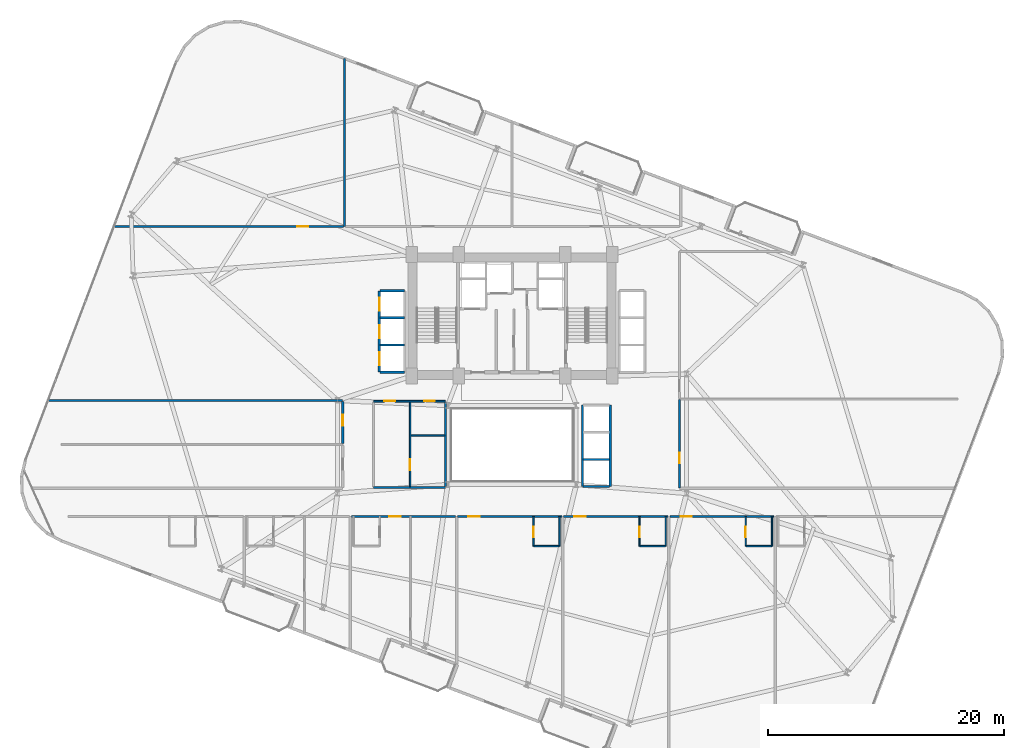
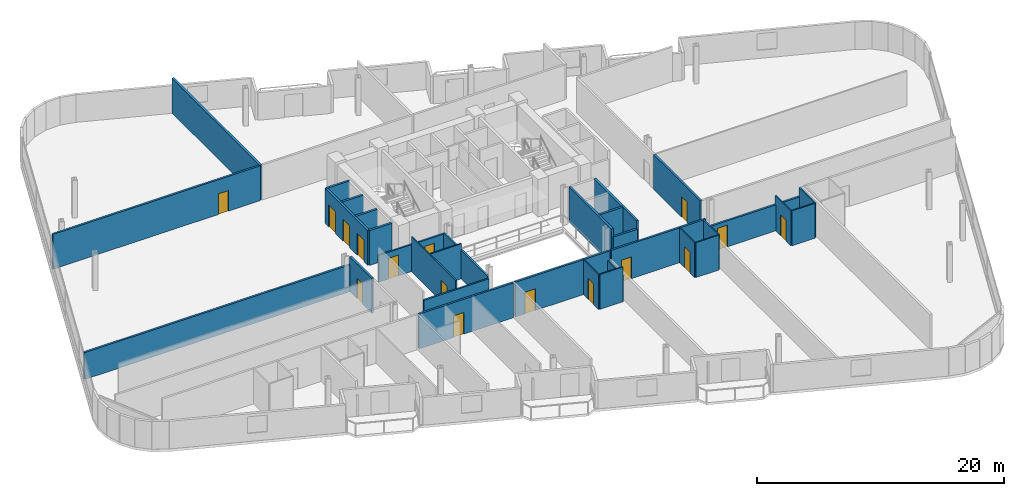
# One storey, part 19 of 25: 32 walls, 16 doors, 16 openings.
"""IFC4 building model written with IfcOpenShell, lengths in metres."""

from ifc_helpers import new_model, si_unit, direction, frame, frame_2d, origin, place, context, subcontext, project, spatial, rectangle, extrude, material, layer, layer_set, type_object, element, fill, save


model = new_model("IFC4")

# Units and contexts
model_context = context("Model", 3, precision=1e-05, world=origin(), true_north=direction((0.0, 1.0)))
body_context = subcontext(model_context, "Body", "Model", "MODEL_VIEW")
ifc_project = project(units=[si_unit("LENGTHUNIT", "METRE"), si_unit("AREAUNIT", "SQUARE_METRE"), si_unit("VOLUMEUNIT", "CUBIC_METRE"), si_unit("PLANEANGLEUNIT", "RADIAN"), si_unit("MASSUNIT", "GRAM", prefix="KILO")], contexts=[model_context])

# Site, building, storey
site_placement = place(None, origin())
site = spatial("IfcSite", under=ifc_project, at=site_placement, CompositionType="ELEMENT")
building_placement = place(site_placement, origin())
building = spatial("IfcBuilding", under=site, at=building_placement, Name="Varnelok Gate Tower", CompositionType="ELEMENT")
storey_placement = place(building_placement, frame((0.0, 0.0, 76.199951171875)))
storey = spatial("IfcBuildingStorey", under=building, at=storey_placement, Name="L18", CompositionType="ELEMENT", Elevation=76.199951171875)

# Wall, opening, door
ifc_material_1 = material(Name="Gypsum Plasterboard Acoustic Partition", Category="gypsum")
ifc_layer_1 = layer(ifc_material_1, 0.179931640625)
ifc_layer_set_1 = layer_set([ifc_layer_1], Name="Gypsum Plasterboard Acoustic Partition")
wall_type_1 = type_object("IfcWallType", Name="PW-CORR-180", PredefinedType="PARTITIONING", material=ifc_layer_set_1)
wall_1_placement = place(storey_placement, frame((25.580078125, 16.85009765625, 0.0), z_axis=(0.0, 0.0, 1.0), x_axis=(1.0, 0.0, 0.0)))
wall_1 = element("IfcWall", 1, at=wall_1_placement, inside=storey, type_object=wall_type_1, Name="Interior Partition", PredefinedType="PARTITIONING", context=body_context, shape_type="SweptSolid", body=[
    extrude(rectangle(XDim=8.83984375, YDim=0.179931640625, at=frame_2d((4.419921875, 0.0))), origin(), (0.0, 0.0, 1.0), 3.449951171875),
])
opening_1_placement = place(wall_1_placement, frame((3.22998046875, 0.0, 0.0)))
opening_1 = element("IfcOpeningElement", 2, at=opening_1_placement, cuts=wall_1, Name="Opening D-HT", PredefinedType="OPENING", context=body_context, shape_type="SweptSolid", body=[
    extrude(rectangle(XDim=0.949951171875, YDim=2.14990234375, at=frame_2d((0.47509765625, 1.074951171875))), frame((0.0, 0.099853515625, 0.0), z_axis=(0.0, -1.0, 0.0), x_axis=(1.0, 0.0, 0.0)), (0.0, 0.0, 1.0), 0.199951171875),
])
ifc_material_2 = material(Name="Engineered Hardwood Timber", Category="wood")
door_type_1 = type_object("IfcDoorType", Name="DR-HTL-950", OperationType="NOTDEFINED", PredefinedType="DOOR", material=ifc_material_2)
door_1_placement = place(opening_1_placement, origin())
door_1 = element("IfcDoor", 3, at=door_1_placement, inside=storey, type_object=door_type_1, Name="L18 Guest Room 03 Entrance Door", OperationType="SINGLE_SWING_RIGHT", OverallHeight=2.14990234375, OverallWidth=0.949951171875, PredefinedType="DOOR", context=body_context, shape_type="SweptSolid", body=[
    extrude(rectangle(XDim=0.949951171875, YDim=2.14990234375, at=frame_2d((0.47509765625, 1.074951171875))), frame((0.0, 0.02490234375, 0.0), z_axis=(0.0, -1.0, 0.0), x_axis=(1.0, 0.0, 0.0)), (0.0, 0.0, 1.0), 0.050048828125),
])
fill(opening_1, door_1)

wall_2_placement = place(storey_placement, frame((34.580078125, 16.85009765625, 0.0), z_axis=(0.0, 0.0, 1.0), x_axis=(1.0, 0.0, 0.0)))
wall_2 = element("IfcWall", 4, at=wall_2_placement, inside=storey, type_object=wall_type_1, Name="Interior Partition", PredefinedType="PARTITIONING", context=body_context, shape_type="SweptSolid", body=[
    extrude(rectangle(XDim=8.83984375, YDim=0.179931640625, at=frame_2d((4.419921875, 0.0))), origin(), (0.0, 0.0, 1.0), 3.449951171875),
])
opening_2_placement = place(wall_2_placement, frame((0.91796875, 0.0, 0.0)))
opening_2 = element("IfcOpeningElement", 5, at=opening_2_placement, cuts=wall_2, Name="Opening D-HT", PredefinedType="OPENING", context=body_context, shape_type="SweptSolid", body=[
    extrude(rectangle(XDim=0.949951171875, YDim=2.14990234375, at=frame_2d((0.47509765625, 1.074951171875))), frame((0.0, 0.099853515625, 0.0), z_axis=(0.0, -1.0, 0.0), x_axis=(1.0, 0.0, 0.0)), (0.0, 0.0, 1.0), 0.199951171875),
])
door_2_placement = place(opening_2_placement, origin())
door_2 = element("IfcDoor", 6, at=door_2_placement, inside=storey, type_object=door_type_1, Name="L18 Guest Room 04 Entrance Door", OperationType="SINGLE_SWING_LEFT", OverallHeight=2.14990234375, OverallWidth=0.949951171875, PredefinedType="DOOR", context=body_context, shape_type="SweptSolid", body=[
    extrude(rectangle(XDim=0.949951171875, YDim=2.14990234375, at=frame_2d((0.47509765625, 1.074951171875))), frame((0.0, 0.02490234375, 0.0), z_axis=(0.0, -1.0, 0.0), x_axis=(1.0, 0.0, 0.0)), (0.0, 0.0, 1.0), 0.050048828125),
])
fill(opening_2, door_2)

wall_3_placement = place(storey_placement, frame((43.580078125, 16.85009765625, 0.0), z_axis=(0.0, 0.0, 1.0), x_axis=(1.0, 0.0, 0.0)))
wall_3 = element("IfcWall", 7, at=wall_3_placement, inside=storey, type_object=wall_type_1, Name="Interior Partition", PredefinedType="PARTITIONING", context=body_context, shape_type="SweptSolid", body=[
    extrude(rectangle(XDim=8.83984375, YDim=0.179931640625, at=frame_2d((4.419921875, 0.0))), origin(), (0.0, 0.0, 1.0), 3.449951171875),
])
opening_3_placement = place(wall_3_placement, frame((0.91796875, 0.0, 0.0)))
opening_3 = element("IfcOpeningElement", 8, at=opening_3_placement, cuts=wall_3, Name="Opening D-HT", PredefinedType="OPENING", context=body_context, shape_type="SweptSolid", body=[
    extrude(rectangle(XDim=0.949951171875, YDim=2.14990234375, at=frame_2d((0.47509765625, 1.074951171875))), frame((0.0, 0.099853515625, 0.0), z_axis=(0.0, -1.0, 0.0), x_axis=(1.0, 0.0, 0.0)), (0.0, 0.0, 1.0), 0.199951171875),
])
door_3_placement = place(opening_3_placement, origin())
door_3 = element("IfcDoor", 9, at=door_3_placement, inside=storey, type_object=door_type_1, Name="L18 Guest Room 05 Entrance Door", OperationType="SINGLE_SWING_RIGHT", OverallHeight=2.14990234375, OverallWidth=0.949951171875, PredefinedType="DOOR", context=body_context, shape_type="SweptSolid", body=[
    extrude(rectangle(XDim=0.949951171875, YDim=2.14990234375, at=frame_2d((0.47509765625, 1.074951171875))), frame((0.0, 0.02490234375, 0.0), z_axis=(0.0, -1.0, 0.0), x_axis=(1.0, 0.0, 0.0)), (0.0, 0.0, 1.0), 0.050048828125),
])
fill(opening_3, door_3)

wall_4_placement = place(storey_placement, frame((52.580078125, 16.85009765625, 0.0), z_axis=(0.0, 0.0, 1.0), x_axis=(1.0, 0.0, 0.0)))
wall_4 = element("IfcWall", 10, at=wall_4_placement, inside=storey, type_object=wall_type_1, Name="Interior Partition", PredefinedType="PARTITIONING", context=body_context, shape_type="SweptSolid", body=[
    extrude(rectangle(XDim=8.83984375, YDim=0.179931640625, at=frame_2d((4.419921875, 0.0))), origin(), (0.0, 0.0, 1.0), 2.580078125),
])
opening_4_placement = place(wall_4_placement, frame((0.91796875, 0.0, 0.0)))
opening_4 = element("IfcOpeningElement", 11, at=opening_4_placement, cuts=wall_4, Name="Opening D-HT", PredefinedType="OPENING", context=body_context, shape_type="SweptSolid", body=[
    extrude(rectangle(XDim=0.949951171875, YDim=2.14990234375, at=frame_2d((0.47509765625, 1.074951171875))), frame((0.0, 0.099853515625, 0.0), z_axis=(0.0, -1.0, 0.0), x_axis=(1.0, 0.0, 0.0)), (0.0, 0.0, 1.0), 0.199951171875),
])
door_4_placement = place(opening_4_placement, origin())
door_4 = element("IfcDoor", 12, at=door_4_placement, inside=storey, type_object=door_type_1, Name="L18 Guest Room 06 Entrance Door", OperationType="SINGLE_SWING_LEFT", OverallHeight=2.14990234375, OverallWidth=0.949951171875, PredefinedType="DOOR", context=body_context, shape_type="SweptSolid", body=[
    extrude(rectangle(XDim=0.949951171875, YDim=2.14990234375, at=frame_2d((0.47509765625, 1.074951171875))), frame((0.0, 0.02490234375, 0.0), z_axis=(0.0, -1.0, 0.0), x_axis=(1.0, 0.0, 0.0)), (0.0, 0.0, 1.0), 0.050048828125),
])
fill(opening_4, door_4)

wall_5_placement = place(storey_placement, frame((5.505859375, 41.429931640625, 0.0), z_axis=(0.0, 0.0, 1.0), x_axis=(1.0, 0.0, 0.0)))
wall_5 = element("IfcWall", 13, at=wall_5_placement, inside=storey, type_object=wall_type_1, Name="Interior Partition", PredefinedType="PARTITIONING", context=body_context, shape_type="SweptSolid", body=[
    extrude(rectangle(XDim=19.4140625, YDim=0.179931640625, at=frame_2d((9.70703125, 0.0))), origin(), (0.0, 0.0, 1.0), 3.449951171875),
])
opening_5_placement = place(wall_5_placement, frame((15.46923828125, 0.0, 0.0)))
opening_5 = element("IfcOpeningElement", 14, at=opening_5_placement, cuts=wall_5, Name="Opening D-I2", PredefinedType="OPENING", context=body_context, shape_type="SweptSolid", body=[
    extrude(rectangle(XDim=0.949951171875, YDim=2.050048828125, at=frame_2d((0.47509765625, 1.02490234375))), frame((0.0, 0.099853515625, 0.0), z_axis=(0.0, -1.0, 0.0), x_axis=(1.0, 0.0, 0.0)), (0.0, 0.0, 1.0), 0.199951171875),
])
door_type_2 = type_object("IfcDoorType", Name="DR-INT-950", OperationType="NOTDEFINED", PredefinedType="DOOR", material=ifc_material_2)
door_5_placement = place(opening_5_placement, origin())
door_5 = element("IfcDoor", 15, at=door_5_placement, inside=storey, type_object=door_type_2, Name="L18 Spa Treatment Suite Door", OperationType="SINGLE_SWING_LEFT", OverallHeight=2.050048828125, OverallWidth=0.949951171875, PredefinedType="DOOR", context=body_context, shape_type="SweptSolid", body=[
    extrude(rectangle(XDim=0.949951171875, YDim=2.050048828125, at=frame_2d((0.47509765625, 1.02490234375))), frame((0.0, 0.02490234375, 0.0), z_axis=(0.0, -1.0, 0.0), x_axis=(1.0, 0.0, 0.0)), (0.0, 0.0, 1.0), 0.050048828125),
])
fill(opening_5, door_5)

wall_6_placement = place(storey_placement, frame((24.85009765625, 23.030029296875, 0.0), z_axis=(0.0, 0.0, 1.0), x_axis=(0.0, 1.0, 0.0)))
wall_6 = element("IfcWall", 16, at=wall_6_placement, inside=storey, type_object=wall_type_1, Name="Interior Partition", PredefinedType="PARTITIONING", context=body_context, shape_type="SweptSolid", body=[
    extrude(rectangle(XDim=3.570068359375, YDim=0.179931640625, at=frame_2d((1.78515625, 0.0))), origin(), (0.0, 0.0, 1.0), 3.449951171875),
])
opening_6_placement = place(wall_6_placement, frame((1.49951171875, 0.0, 0.0)))
opening_6 = element("IfcOpeningElement", 17, at=opening_6_placement, cuts=wall_6, Name="Opening D-I3", PredefinedType="OPENING", context=body_context, shape_type="SweptSolid", body=[
    extrude(rectangle(XDim=0.919921875, YDim=2.050048828125, at=frame_2d((0.4599609375, 1.02490234375))), frame((0.0, 0.099853515625, 0.0), z_axis=(0.0, -1.0, 0.0), x_axis=(1.0, 0.0, 0.0)), (0.0, 0.0, 1.0), 0.199951171875),
])
door_type_3 = type_object("IfcDoorType", Name="DR-INT-920", OperationType="NOTDEFINED", PredefinedType="DOOR", material=ifc_material_2)
door_6_placement = place(opening_6_placement, origin())
door_6 = element("IfcDoor", 18, at=door_6_placement, inside=storey, type_object=door_type_3, Name="L18 West Wing Room 2 Door", OperationType="SINGLE_SWING_RIGHT", OverallHeight=2.050048828125, OverallWidth=0.919921875, PredefinedType="DOOR", context=body_context, shape_type="SweptSolid", body=[
    extrude(rectangle(XDim=0.919921875, YDim=2.050048828125, at=frame_2d((0.4599609375, 1.02490234375))), frame((0.0, 0.02490234375, 0.0), z_axis=(0.0, -1.0, 0.0), x_axis=(1.0, 0.0, 0.0)), (0.0, 0.0, 1.0), 0.050048828125),
])
fill(opening_6, door_6)

# Wall
wall_7_placement = place(storey_placement, frame((-0.0859375, 26.659912109375, 0.0), z_axis=(0.0, 0.0, 1.0), x_axis=(1.0, 0.0, 0.0)))
element("IfcWall", 19, at=wall_7_placement, inside=storey, type_object=wall_type_1, Name="Interior Partition", PredefinedType="PARTITIONING", context=body_context, shape_type="SweptSolid", body=[
    extrude(rectangle(XDim=24.93603515625, YDim=0.179931640625, at=frame_2d((12.468017578125, 0.0))), origin(), (0.0, 0.0, 1.0), 2.662109375),
])

# Wall, opening, door
wall_8_placement = place(storey_placement, frame((53.389892578125, 19.239990234375, 0.0), z_axis=(0.0, 0.0, 1.0), x_axis=(0.0, 1.0, 0.0)))
wall_8 = element("IfcWall", 20, at=wall_8_placement, inside=storey, type_object=wall_type_1, Name="Interior Partition", PredefinedType="PARTITIONING", context=body_context, shape_type="SweptSolid", body=[
    extrude(rectangle(XDim=7.52001953125, YDim=0.179931640625, at=frame_2d((3.760009765625, 0.0))), origin(), (0.0, 0.0, 1.0), 3.449951171875),
])
opening_7_placement = place(wall_8_placement, frame((2.10009765625, 0.0, 0.0)))
opening_7 = element("IfcOpeningElement", 21, at=opening_7_placement, cuts=wall_8, Name="Opening D-I3", PredefinedType="OPENING", context=body_context, shape_type="SweptSolid", body=[
    extrude(rectangle(XDim=0.919921875, YDim=2.050048828125, at=frame_2d((0.4599609375, 1.02490234375))), frame((0.0, 0.099853515625, 0.0), z_axis=(0.0, -1.0, 0.0), x_axis=(1.0, 0.0, 0.0)), (0.0, 0.0, 1.0), 0.199951171875),
])
door_7_placement = place(opening_7_placement, origin())
door_7 = element("IfcDoor", 22, at=door_7_placement, inside=storey, type_object=door_type_3, Name="L18 East Studio Door", OperationType="SINGLE_SWING_RIGHT", OverallHeight=2.050048828125, OverallWidth=0.919921875, PredefinedType="DOOR", context=body_context, shape_type="SweptSolid", body=[
    extrude(rectangle(XDim=0.919921875, YDim=2.050048828125, at=frame_2d((0.4599609375, 1.02490234375))), frame((0.0, 0.02490234375, 0.0), z_axis=(0.0, -1.0, 0.0), x_axis=(1.0, 0.0, 0.0)), (0.0, 0.0, 1.0), 0.050048828125),
])
fill(opening_7, door_7)

# Wall
ifc_layer_2 = layer(ifc_material_1, 0.114990234375)
ifc_layer_set_2 = layer_set([ifc_layer_2], Name="Gypsum Plasterboard Acoustic Partition")
wall_type_2 = type_object("IfcWallType", Name="PW-ENS-125", PredefinedType="PARTITIONING", material=ifc_layer_set_2)
wall_9_placement = place(storey_placement, frame((41.050048828125, 14.330078125, 0.0), z_axis=(0.0, 0.0, 1.0), x_axis=(1.0, 0.0, 0.0)))
element("IfcWall", 23, at=wall_9_placement, inside=storey, type_object=wall_type_2, Name="Interior Partition", PredefinedType="PARTITIONING", context=body_context, shape_type="SweptSolid", body=[
    extrude(rectangle(XDim=2.14990234375, YDim=0.114990234375, at=frame_2d((1.074951171875, 0.0))), origin(), (0.0, 0.0, 1.0), 3.449951171875),
])

# Wall, opening, door
wall_10_placement = place(storey_placement, frame((41.010009765625, 14.330078125, 0.0), z_axis=(0.0, 0.0, 1.0), x_axis=(0.0, 1.0, 0.0)))
wall_10 = element("IfcWall", 24, at=wall_10_placement, inside=storey, type_object=wall_type_2, Name="Interior Partition", PredefinedType="PARTITIONING", context=body_context, shape_type="SweptSolid", body=[
    extrude(rectangle(XDim=2.52001953125, YDim=0.114990234375, at=frame_2d((1.260009765625, 0.0))), origin(), (0.0, 0.0, 1.0), 3.449951171875),
])
opening_8_placement = place(wall_10_placement, frame((0.760009765625, 0.0, 0.0)))
opening_8 = element("IfcOpeningElement", 25, at=opening_8_placement, cuts=wall_10, Name="Opening D-WC", PredefinedType="OPENING", context=body_context, shape_type="SweptSolid", body=[
    extrude(rectangle(XDim=0.89990234375, YDim=2.050048828125, at=frame_2d((0.449951171875, 1.02490234375))), frame((0.0, 0.0673828125, 0.0), z_axis=(0.0, -1.0, 0.0), x_axis=(1.0, 0.0, 0.0)), (0.0, 0.0, 1.0), 0.135009765625),
])
door_type_4 = type_object("IfcDoorType", Name="DR-BATH-900", OperationType="NOTDEFINED", PredefinedType="DOOR", material=ifc_material_2)
door_8_placement = place(opening_8_placement, origin())
door_8 = element("IfcDoor", 26, at=door_8_placement, inside=storey, type_object=door_type_4, Name="L18 Guest En-Suite 04 Door", OperationType="SINGLE_SWING_RIGHT", OverallHeight=2.050048828125, OverallWidth=0.89990234375, PredefinedType="DOOR", context=body_context, shape_type="SweptSolid", body=[
    extrude(rectangle(XDim=0.89990234375, YDim=2.050048828125, at=frame_2d((0.449951171875, 1.02490234375))), frame((0.0, 0.02490234375, 0.0), z_axis=(0.0, -1.0, 0.0), x_axis=(1.0, 0.0, 0.0)), (0.0, 0.0, 1.0), 0.050048828125),
])
fill(opening_8, door_8)

# Walls
wall_11_placement = place(storey_placement, frame((43.239990234375, 14.330078125, 0.0), z_axis=(0.0, 0.0, 1.0), x_axis=(0.0, 1.0, 0.0)))
element("IfcWall", 27, at=wall_11_placement, inside=storey, type_object=wall_type_2, Name="Interior Partition", PredefinedType="PARTITIONING", context=body_context, shape_type="SweptSolid", body=[
    extrude(rectangle(XDim=2.52001953125, YDim=0.114990234375, at=frame_2d((1.260009765625, 0.0))), origin(), (0.0, 0.0, 1.0), 2.580078125),
])
wall_12_placement = place(storey_placement, frame((50.050048828125, 14.330078125, 0.0), z_axis=(0.0, 0.0, 1.0), x_axis=(1.0, 0.0, 0.0)))
element("IfcWall", 28, at=wall_12_placement, inside=storey, type_object=wall_type_2, Name="Interior Partition", PredefinedType="PARTITIONING", context=body_context, shape_type="SweptSolid", body=[
    extrude(rectangle(XDim=2.14990234375, YDim=0.114990234375, at=frame_2d((1.074951171875, 0.0))), origin(), (0.0, 0.0, 1.0), 3.449951171875),
])

# Wall, opening, door
wall_13_placement = place(storey_placement, frame((50.010009765625, 14.330078125, 0.0), z_axis=(0.0, 0.0, 1.0), x_axis=(0.0, 1.0, 0.0)))
wall_13 = element("IfcWall", 29, at=wall_13_placement, inside=storey, type_object=wall_type_2, Name="Interior Partition", PredefinedType="PARTITIONING", context=body_context, shape_type="SweptSolid", body=[
    extrude(rectangle(XDim=2.52001953125, YDim=0.114990234375, at=frame_2d((1.260009765625, 0.0))), origin(), (0.0, 0.0, 1.0), 3.449951171875),
])
opening_9_placement = place(wall_13_placement, frame((0.760009765625, 0.0, 0.0)))
opening_9 = element("IfcOpeningElement", 30, at=opening_9_placement, cuts=wall_13, Name="Opening D-WC", PredefinedType="OPENING", context=body_context, shape_type="SweptSolid", body=[
    extrude(rectangle(XDim=0.89990234375, YDim=2.050048828125, at=frame_2d((0.449951171875, 1.02490234375))), frame((0.0, 0.0673828125, 0.0), z_axis=(0.0, -1.0, 0.0), x_axis=(1.0, 0.0, 0.0)), (0.0, 0.0, 1.0), 0.135009765625),
])
door_9_placement = place(opening_9_placement, origin())
door_9 = element("IfcDoor", 31, at=door_9_placement, inside=storey, type_object=door_type_4, Name="L18 Guest En-Suite 05 Door", OperationType="SINGLE_SWING_RIGHT", OverallHeight=2.050048828125, OverallWidth=0.89990234375, PredefinedType="DOOR", context=body_context, shape_type="SweptSolid", body=[
    extrude(rectangle(XDim=0.89990234375, YDim=2.050048828125, at=frame_2d((0.449951171875, 1.02490234375))), frame((0.0, 0.02490234375, 0.0), z_axis=(0.0, -1.0, 0.0), x_axis=(1.0, 0.0, 0.0)), (0.0, 0.0, 1.0), 0.050048828125),
])
fill(opening_9, door_9)

# Walls
wall_14_placement = place(storey_placement, frame((52.239990234375, 14.330078125, 0.0), z_axis=(0.0, 0.0, 1.0), x_axis=(0.0, 1.0, 0.0)))
element("IfcWall", 32, at=wall_14_placement, inside=storey, type_object=wall_type_2, Name="Interior Partition", PredefinedType="PARTITIONING", context=body_context, shape_type="SweptSolid", body=[
    extrude(rectangle(XDim=2.52001953125, YDim=0.114990234375, at=frame_2d((1.260009765625, 0.0))), origin(), (0.0, 0.0, 1.0), 3.449951171875),
])
wall_15_placement = place(storey_placement, frame((59.050048828125, 14.330078125, 0.0), z_axis=(0.0, 0.0, 1.0), x_axis=(1.0, 0.0, 0.0)))
element("IfcWall", 33, at=wall_15_placement, inside=storey, type_object=wall_type_2, Name="Interior Partition", PredefinedType="PARTITIONING", context=body_context, shape_type="SweptSolid", body=[
    extrude(rectangle(XDim=2.14990234375, YDim=0.114990234375, at=frame_2d((1.074951171875, 0.0))), origin(), (0.0, 0.0, 1.0), 3.449951171875),
])

# Wall, opening, door
wall_16_placement = place(storey_placement, frame((59.010009765625, 14.330078125, 0.0), z_axis=(0.0, 0.0, 1.0), x_axis=(0.0, 1.0, 0.0)))
wall_16 = element("IfcWall", 34, at=wall_16_placement, inside=storey, type_object=wall_type_2, Name="Interior Partition", PredefinedType="PARTITIONING", context=body_context, shape_type="SweptSolid", body=[
    extrude(rectangle(XDim=2.52001953125, YDim=0.114990234375, at=frame_2d((1.260009765625, 0.0))), origin(), (0.0, 0.0, 1.0), 3.449951171875),
])
opening_10_placement = place(wall_16_placement, frame((0.760009765625, 0.0, 0.0)))
opening_10 = element("IfcOpeningElement", 35, at=opening_10_placement, cuts=wall_16, Name="Opening D-WC", PredefinedType="OPENING", context=body_context, shape_type="SweptSolid", body=[
    extrude(rectangle(XDim=0.89990234375, YDim=2.050048828125, at=frame_2d((0.449951171875, 1.02490234375))), frame((0.0, 0.0673828125, 0.0), z_axis=(0.0, -1.0, 0.0), x_axis=(1.0, 0.0, 0.0)), (0.0, 0.0, 1.0), 0.135009765625),
])
door_10_placement = place(opening_10_placement, origin())
door_10 = element("IfcDoor", 36, at=door_10_placement, inside=storey, type_object=door_type_4, Name="L18 Guest En-Suite 06 Door", OperationType="SINGLE_SWING_RIGHT", OverallHeight=2.050048828125, OverallWidth=0.89990234375, PredefinedType="DOOR", context=body_context, shape_type="SweptSolid", body=[
    extrude(rectangle(XDim=0.89990234375, YDim=2.050048828125, at=frame_2d((0.449951171875, 1.02490234375))), frame((0.0, 0.02490234375, 0.0), z_axis=(0.0, -1.0, 0.0), x_axis=(1.0, 0.0, 0.0)), (0.0, 0.0, 1.0), 0.050048828125),
])
fill(opening_10, door_10)

# Wall
wall_17_placement = place(storey_placement, frame((61.239990234375, 14.330078125, 0.0), z_axis=(0.0, 0.0, 1.0), x_axis=(0.0, 1.0, 0.0)))
element("IfcWall", 37, at=wall_17_placement, inside=storey, type_object=wall_type_2, Name="Interior Partition", PredefinedType="PARTITIONING", context=body_context, shape_type="SweptSolid", body=[
    extrude(rectangle(XDim=2.52001953125, YDim=0.114990234375, at=frame_2d((1.260009765625, 0.0))), origin(), (0.0, 0.0, 1.0), 3.449951171875),
])

# Wall, opening, door
ifc_layer_3 = layer(ifc_material_1, 0.125)
ifc_layer_set_3 = layer_set([ifc_layer_3], Name="Gypsum Plasterboard Acoustic Partition")
wall_type_3 = type_object("IfcWallType", Name="PW-PART-125", PredefinedType="PARTITIONING", material=ifc_layer_set_3)
wall_18_placement = place(storey_placement, frame((30.56005859375, 19.3798828125, 0.0), z_axis=(0.0, 0.0, 1.0), x_axis=(0.0, 1.0, 0.0)))
wall_18 = element("IfcWall", 38, at=wall_18_placement, inside=storey, type_object=wall_type_3, Name="Interior Partition", PredefinedType="PARTITIONING", context=body_context, shape_type="SweptSolid", body=[
    extrude(rectangle(XDim=7.16015625, YDim=0.125, at=frame_2d((3.580078125, 0.0))), origin(), (0.0, 0.0, 1.0), 3.449951171875),
])
opening_11_placement = place(wall_18_placement, frame((1.39990234375, 0.0, 0.0)))
opening_11 = element("IfcOpeningElement", 39, at=opening_11_placement, cuts=wall_18, Name="Opening D-I3", PredefinedType="OPENING", context=body_context, shape_type="SweptSolid", body=[
    extrude(rectangle(XDim=0.919921875, YDim=2.050048828125, at=frame_2d((0.4599609375, 1.02490234375))), frame((0.0, 0.072509765625, 0.0), z_axis=(0.0, -1.0, 0.0), x_axis=(1.0, 0.0, 0.0)), (0.0, 0.0, 1.0), 0.14501953125),
])
door_11_placement = place(opening_11_placement, origin())
door_11 = element("IfcDoor", 40, at=door_11_placement, inside=storey, type_object=door_type_3, Name="L18 Floor Linen Store Door", OperationType="SINGLE_SWING_RIGHT", OverallHeight=2.050048828125, OverallWidth=0.919921875, PredefinedType="DOOR", context=body_context, shape_type="SweptSolid", body=[
    extrude(rectangle(XDim=0.919921875, YDim=2.050048828125, at=frame_2d((0.4599609375, 1.02490234375))), frame((0.0, 0.02490234375, 0.0), z_axis=(0.0, -1.0, 0.0), x_axis=(1.0, 0.0, 0.0)), (0.0, 0.0, 1.0), 0.050048828125),
])
fill(opening_11, door_11)

# Wall
wall_19_placement = place(storey_placement, frame((30.639892578125, 23.7099609375, 0.0), z_axis=(0.0, 0.0, 1.0), x_axis=(1.0, 0.0, 0.0)))
element("IfcWall", 41, at=wall_19_placement, inside=storey, type_object=wall_type_3, Name="Interior Partition", PredefinedType="PARTITIONING", context=body_context, shape_type="SweptSolid", body=[
    extrude(rectangle(XDim=2.880126953125, YDim=0.125, at=frame_2d((1.43994140625, 0.0))), origin(), (0.0, 0.0, 1.0), 3.449951171875),
])

# Wall, openings, doors
ifc_layer_4 = layer(ifc_material_1, 0.14990234375)
ifc_layer_set_4 = layer_set([ifc_layer_4], Name="Gypsum Plasterboard Acoustic Partition")
wall_type_4 = type_object("IfcWallType", Name="PW-PART-150", PredefinedType="PARTITIONING", material=ifc_layer_set_4)
wall_20_placement = place(storey_placement, frame((27.4599609375, 26.6201171875, 0.0), z_axis=(0.0, 0.0, 1.0), x_axis=(1.0, 0.0, 0.0)))
wall_20 = element("IfcWall", 42, at=wall_20_placement, inside=storey, type_object=wall_type_4, Name="Interior Partition", PredefinedType="PARTITIONING", context=body_context, shape_type="SweptSolid", body=[
    extrude(rectangle(XDim=6.10009765625, YDim=0.14990234375, at=frame_2d((3.050048828125, 0.0))), origin(), (0.0, 0.0, 1.0), 2.662109375),
])
opening_12_placement = place(wall_20_placement, frame((0.89990234375, 0.0, 0.0)))
opening_12 = element("IfcOpeningElement", 43, at=opening_12_placement, cuts=wall_20, Name="Opening D-I2", PredefinedType="OPENING", context=body_context, shape_type="SweptSolid", body=[
    extrude(rectangle(XDim=0.949951171875, YDim=2.050048828125, at=frame_2d((0.47509765625, 1.02490234375))), frame((0.0, 0.0849609375, 0.0), z_axis=(0.0, -1.0, 0.0), x_axis=(1.0, 0.0, 0.0)), (0.0, 0.0, 1.0), 0.169921875),
])
opening_13_placement = place(wall_20_placement, frame((4.302978515625, 0.0, 0.0)))
opening_13 = element("IfcOpeningElement", 44, at=opening_13_placement, cuts=wall_20, Name="Opening D-WC", PredefinedType="OPENING", context=body_context, shape_type="SweptSolid", body=[
    extrude(rectangle(XDim=0.89990234375, YDim=2.050048828125, at=frame_2d((0.449951171875, 1.02490234375))), frame((0.0, 0.0849609375, 0.0), z_axis=(0.0, -1.0, 0.0), x_axis=(1.0, 0.0, 0.0)), (0.0, 0.0, 1.0), 0.169921875),
])
door_12_placement = place(opening_13_placement, origin())
door_12 = element("IfcDoor", 45, at=door_12_placement, inside=storey, type_object=door_type_4, Name="L18 Accessible Floor WC Door", OperationType="SINGLE_SWING_LEFT", OverallHeight=2.050048828125, OverallWidth=0.89990234375, PredefinedType="DOOR", context=body_context, shape_type="SweptSolid", body=[
    extrude(rectangle(XDim=0.89990234375, YDim=2.050048828125, at=frame_2d((0.449951171875, 1.02490234375))), frame((0.0, 0.02490234375, 0.0), z_axis=(0.0, -1.0, 0.0), x_axis=(1.0, 0.0, 0.0)), (0.0, 0.0, 1.0), 0.050048828125),
])
fill(opening_13, door_12)
door_13_placement = place(opening_12_placement, origin())
door_13 = element("IfcDoor", 46, at=door_13_placement, inside=storey, type_object=door_type_2, Name="L18 Private Client Consultation Office Door", OperationType="SINGLE_SWING_RIGHT", OverallHeight=2.050048828125, OverallWidth=0.949951171875, PredefinedType="DOOR", context=body_context, shape_type="SweptSolid", body=[
    extrude(rectangle(XDim=0.949951171875, YDim=2.050048828125, at=frame_2d((0.47509765625, 1.02490234375))), frame((0.0, 0.02490234375, 0.0), z_axis=(0.0, -1.0, 0.0), x_axis=(1.0, 0.0, 0.0)), (0.0, 0.0, 1.0), 0.050048828125),
])
fill(opening_12, door_13)

# Walls
wall_21_placement = place(storey_placement, frame((27.4599609375, 19.300048828125, 0.0), z_axis=(0.0, 0.0, 1.0), x_axis=(1.0, 0.0, 0.0)))
element("IfcWall", 47, at=wall_21_placement, inside=storey, type_object=wall_type_4, Name="Interior Partition", PredefinedType="PARTITIONING", context=body_context, shape_type="SweptSolid", body=[
    extrude(rectangle(XDim=6.10009765625, YDim=0.14990234375, at=frame_2d((3.050048828125, 0.0))), origin(), (0.0, 0.0, 1.0), 2.662109375),
])
wall_22_placement = place(storey_placement, frame((33.56005859375, 19.3798828125, 0.0), z_axis=(0.0, 0.0, 1.0), x_axis=(0.0, 1.0, 0.0)))
element("IfcWall", 48, at=wall_22_placement, inside=storey, type_object=wall_type_4, Name="Interior Partition", PredefinedType="PARTITIONING", context=body_context, shape_type="SweptSolid", body=[
    extrude(rectangle(XDim=7.16015625, YDim=0.14990234375, at=frame_2d((3.580078125, 0.0))), origin(), (0.0, 0.0, 1.0), 2.823974609375),
])
ifc_layer_5 = layer(ifc_material_1, 0.205078125)
ifc_layer_set_5 = layer_set([ifc_layer_5], Name="Gypsum Plasterboard Acoustic Partition")
wall_type_5 = type_object("IfcWallType", Name="PW-PARTY-200", PredefinedType="PARTITIONING", material=ifc_layer_set_5)
wall_23_placement = place(storey_placement, frame((25.0, 41.429931640625, 0.0), z_axis=(0.0, 0.0, 1.0), x_axis=(0.0, 1.0, 0.0)))
element("IfcWall", 49, at=wall_23_placement, inside=storey, type_object=wall_type_5, Name="L18 North Party Wall 1", PredefinedType="PARTITIONING", context=body_context, shape_type="SweptSolid", body=[
    extrude(rectangle(XDim=14.22412109375, YDim=0.205078125, at=frame_2d((7.112060546875, 0.0))), origin(), (0.0, 0.0, 1.0), 3.449951171875),
])
ifc_material_3 = material(Name="Concrete C35/45", Category="concrete")
ifc_layer_6 = layer(ifc_material_3, 0.199951171875)
ifc_layer_set_6 = layer_set([ifc_layer_6], Name="Concrete C35/45")
wall_type_6 = type_object("IfcWallType", Name="PW-SHAFT-200", PredefinedType="PARTITIONING", material=ifc_layer_set_6)
for number, where, z_axis, x_axis, name in (
    (50, (28.02001953125, 31.375, 0.0), (0.0, 0.0, 1.0), (1.0, 0.0, 0.0), "L18 PL1 Divider"),
    (51, (28.02001953125, 33.675048828125, 0.0), (0.0, 0.0, 1.0), (1.0, 0.0, 0.0), "L18 PL2 Divider"),
):
    element("IfcWall", number, at=place(storey_placement, frame(where, z_axis=z_axis, x_axis=x_axis)), inside=storey, type_object=wall_type_6, Name=name, PredefinedType="PARTITIONING", context=body_context, shape_type="SweptSolid", body=[
        extrude(rectangle(XDim=2.06005859375, YDim=0.199951171875, at=frame_2d((1.030029296875, 0.0))), origin(), (0.0, 0.0, 1.0), 3.449951171875),
    ])
for number, where, z_axis, x_axis, name in (
    (52, (28.0, 29.080078125, 0.0), (0.0, 0.0, 1.0), (1.0, 0.0, 0.0), "L18 PL Bank South Wall"),
    (53, (28.0, 35.969970703125, 0.0), (0.0, 0.0, 1.0), (1.0, 0.0, 0.0), "L18 PL Bank North Wall"),
):
    element("IfcWall", number, at=place(storey_placement, frame(where, z_axis=z_axis, x_axis=x_axis)), inside=storey, type_object=wall_type_6, Name=name, PredefinedType="PARTITIONING", context=body_context, shape_type="SweptSolid", body=[
        extrude(rectangle(XDim=2.10009765625, YDim=0.199951171875, at=frame_2d((1.050048828125, 0.0))), origin(), (0.0, 0.0, 1.0), 3.449951171875),
    ])

# Wall, openings, doors
wall_24_placement = place(storey_placement, frame((27.9599609375, 29.080078125, 0.0), z_axis=(0.0, 0.0, 1.0), x_axis=(0.0, 1.0, 0.0)))
wall_24 = element("IfcWall", 54, at=wall_24_placement, inside=storey, type_object=wall_type_6, Name="L18 PL Bank Front Wall", PredefinedType="PARTITIONING", context=body_context, shape_type="SweptSolid", body=[
    extrude(rectangle(XDim=6.889892578125, YDim=0.199951171875, at=frame_2d((3.44482421875, 0.0))), origin(), (0.0, 0.0, 1.0), 3.449951171875),
])
opening_14_placement = place(wall_24_placement, frame((0.590087890625, 0.0, 0.0)))
opening_14 = element("IfcOpeningElement", 55, at=opening_14_placement, cuts=wall_24, Name="Opening LD-PL1", PredefinedType="OPENING", context=body_context, shape_type="SweptSolid", body=[
    extrude(rectangle(XDim=1.10009765625, YDim=2.14990234375, at=frame_2d((0.550048828125, 1.074951171875))), frame((0.0, 0.10986328125, 0.0), z_axis=(0.0, -1.0, 0.0), x_axis=(1.0, 0.0, 0.0)), (0.0, 0.0, 1.0), 0.219970703125),
])
opening_15_placement = place(wall_24_placement, frame((2.889892578125, 0.0, 0.0)))
opening_15 = element("IfcOpeningElement", 56, at=opening_15_placement, cuts=wall_24, Name="Opening LD-PL2", PredefinedType="OPENING", context=body_context, shape_type="SweptSolid", body=[
    extrude(rectangle(XDim=1.10009765625, YDim=2.14990234375, at=frame_2d((0.550048828125, 1.074951171875))), frame((0.0, 0.10986328125, 0.0), z_axis=(0.0, -1.0, 0.0), x_axis=(1.0, 0.0, 0.0)), (0.0, 0.0, 1.0), 0.219970703125),
])
opening_16_placement = place(wall_24_placement, frame((5.18994140625, 0.0, 0.0)))
opening_16 = element("IfcOpeningElement", 57, at=opening_16_placement, cuts=wall_24, Name="Opening LD-PL3", PredefinedType="OPENING", context=body_context, shape_type="SweptSolid", body=[
    extrude(rectangle(XDim=1.10009765625, YDim=2.14990234375, at=frame_2d((0.550048828125, 1.074951171875))), frame((0.0, 0.10986328125, 0.0), z_axis=(0.0, -1.0, 0.0), x_axis=(1.0, 0.0, 0.0)), (0.0, 0.0, 1.0), 0.219970703125),
])
ifc_material_4 = material(Name="Galvanized Steel Grade S350GD", Category="steel")
door_type_5 = type_object("IfcDoorType", Name="DR-LIFT-PAX1100", OperationType="SLIDING_TO_LEFT", PredefinedType="DOOR", material=ifc_material_4)
door_14_placement = place(opening_14_placement, origin())
door_14 = element("IfcDoor", 58, at=door_14_placement, inside=storey, type_object=door_type_5, Name="L18 Passenger Lift Landing Door LD-PL1", OperationType="SLIDING_TO_LEFT", OverallHeight=2.14990234375, OverallWidth=1.10009765625, PredefinedType="DOOR", context=body_context, shape_type="SweptSolid", body=[
    extrude(rectangle(XDim=1.10009765625, YDim=2.14990234375, at=frame_2d((0.550048828125, 1.074951171875))), frame((0.0, 0.02490234375, 0.0), z_axis=(0.0, -1.0, 0.0), x_axis=(1.0, 0.0, 0.0)), (0.0, 0.0, 1.0), 0.050048828125),
])
fill(opening_14, door_14)
door_15_placement = place(opening_15_placement, origin())
door_15 = element("IfcDoor", 59, at=door_15_placement, inside=storey, type_object=door_type_5, Name="L18 Passenger Lift Landing Door LD-PL2", OperationType="SLIDING_TO_LEFT", OverallHeight=2.14990234375, OverallWidth=1.10009765625, PredefinedType="DOOR", context=body_context, shape_type="SweptSolid", body=[
    extrude(rectangle(XDim=1.10009765625, YDim=2.14990234375, at=frame_2d((0.550048828125, 1.074951171875))), frame((0.0, 0.02490234375, 0.0), z_axis=(0.0, -1.0, 0.0), x_axis=(1.0, 0.0, 0.0)), (0.0, 0.0, 1.0), 0.050048828125),
])
fill(opening_15, door_15)
door_16_placement = place(opening_16_placement, origin())
door_16 = element("IfcDoor", 60, at=door_16_placement, inside=storey, type_object=door_type_5, Name="L18 Passenger Lift Landing Door LD-PL3", OperationType="SLIDING_TO_LEFT", OverallHeight=2.14990234375, OverallWidth=1.10009765625, PredefinedType="DOOR", context=body_context, shape_type="SweptSolid", body=[
    extrude(rectangle(XDim=1.10009765625, YDim=2.14990234375, at=frame_2d((0.550048828125, 1.074951171875))), frame((0.0, 0.02490234375, 0.0), z_axis=(0.0, -1.0, 0.0), x_axis=(1.0, 0.0, 0.0)), (0.0, 0.0, 1.0), 0.050048828125),
])
fill(opening_16, door_16)

# Walls
wall_25_placement = place(storey_placement, frame((45.239990234375, 21.675048828125, 0.0), z_axis=(0.0, 0.0, 1.0), x_axis=(1.0, 0.0, 0.0)))
element("IfcWall", 61, at=wall_25_placement, inside=storey, type_object=wall_type_6, Name="L18 PH1 Divider", PredefinedType="PARTITIONING", context=body_context, shape_type="SweptSolid", body=[
    extrude(rectangle(XDim=2.219970703125, YDim=0.199951171875, at=frame_2d((1.10986328125, 0.0))), origin(), (0.0, 0.0, 1.0), 3.449951171875),
])
wall_26_placement = place(storey_placement, frame((45.239990234375, 19.3798828125, 0.0), z_axis=(0.0, 0.0, 1.0), x_axis=(1.0, 0.0, 0.0)))
element("IfcWall", 62, at=wall_26_placement, inside=storey, type_object=wall_type_6, Name="L18 PH Bank South Wall", PredefinedType="PARTITIONING", context=body_context, shape_type="SweptSolid", body=[
    extrude(rectangle(XDim=2.219970703125, YDim=0.199951171875, at=frame_2d((1.10986328125, 0.0))), origin(), (0.0, 0.0, 1.0), 2.662109375),
])
for number, where, z_axis, x_axis, name in (
    (63, (45.179931640625, 19.3798828125, 0.0), (0.0, 0.0, 1.0), (0.0, 1.0, 0.0), "L18 PH Bank Atrium Wall"),
    (64, (47.52001953125, 19.3798828125, 0.0), (0.0, 0.0, 1.0), (0.0, 1.0, 0.0), "L18 PH Bank Front Wall"),
):
    element("IfcWall", number, at=place(storey_placement, frame(where, z_axis=z_axis, x_axis=x_axis)), inside=storey, type_object=wall_type_6, Name=name, PredefinedType="PARTITIONING", context=body_context, shape_type="SweptSolid", body=[
        extrude(rectangle(XDim=6.900146484375, YDim=0.199951171875, at=frame_2d((3.4501953125, 0.0))), origin(), (0.0, 0.0, 1.0), 3.449951171875),
    ])

save(model, "model.ifc")
